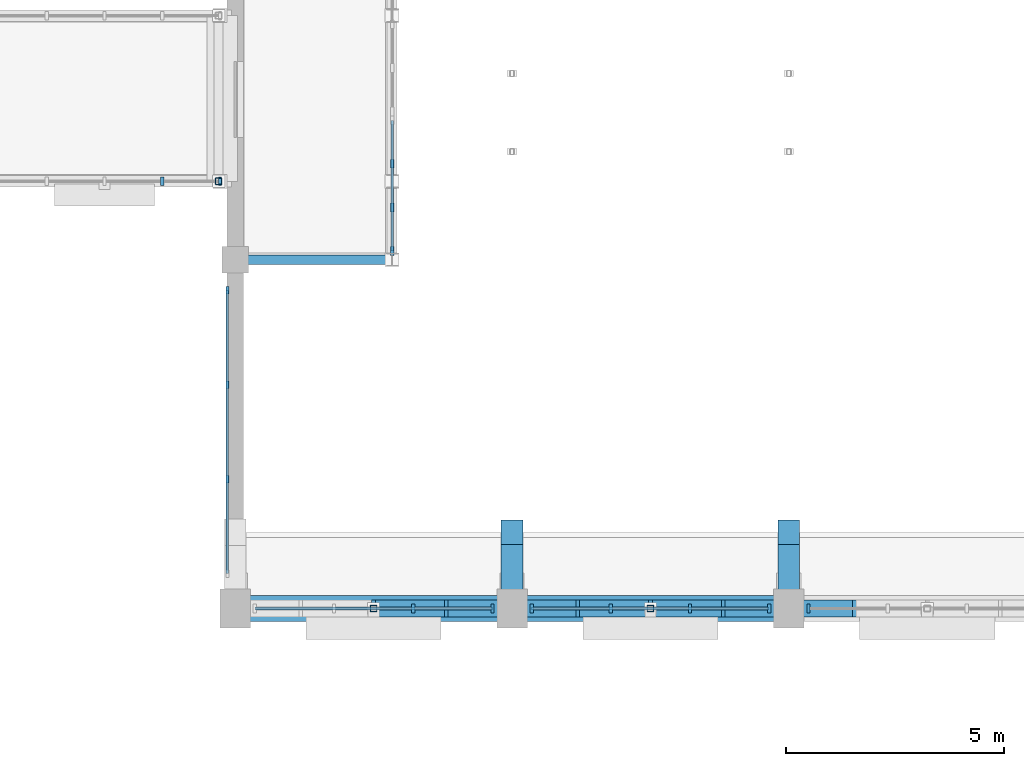
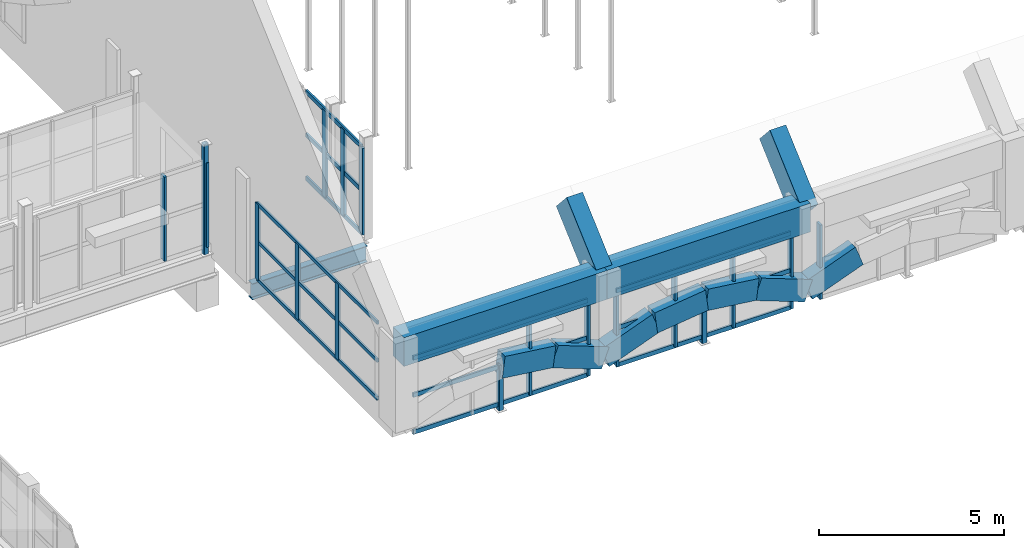
# One storey, part 15 of 77: 39 members, 3 beams, 6 elements without a shape of their own.
"""IFC4 building model written with IfcOpenShell, lengths in metres."""

from ifc_helpers import new_model, si_unit, direction, frame, origin, origin_2d, place, context, subcontext, project, spatial, rectangle, hollow_rectangle, i_section, extrude, material, layer, layer_set, material_profile, profile_set, type_object, element, aggregate, save


model = new_model("IFC4")

# Units and contexts
model_context = context("Model", 3, precision=1e-05, world=origin(), true_north=direction((0.0, 1.0)))
body_context = subcontext(model_context, "Body", "Model", "MODEL_VIEW")
ifc_project = project(units=[si_unit("LENGTHUNIT", "METRE"), si_unit("AREAUNIT", "SQUARE_METRE"), si_unit("VOLUMEUNIT", "CUBIC_METRE"), si_unit("PLANEANGLEUNIT", "RADIAN"), si_unit("MASSUNIT", "GRAM", prefix="KILO")], contexts=[model_context])

# Site, building, storey
site_placement = place(None, origin())
site = spatial("IfcSite", under=ifc_project, at=site_placement, CompositionType="ELEMENT")
building_placement = place(site_placement, origin())
building = spatial("IfcBuilding", under=site, at=building_placement, Name="Trellovar Central Fire Station", CompositionType="ELEMENT")
storey_placement = place(building_placement, frame((0.0, 0.0, 5.85009765625)))
storey = spatial("IfcBuildingStorey", under=building, at=storey_placement, Name="L02", CompositionType="ELEMENT", Elevation=5.85009765625)

# Beams
ifc_material_1 = material(Name="Concrete C40/50", Category="concrete")
ifc_material_profile_1 = material_profile(ifc_material_1, rectangle(XDim=0.60009765625, YDim=0.949951171875, at=origin_2d()), Name="RC600X950")
ifc_profile_set_1 = profile_set([ifc_material_profile_1], Name="Concrete C40/50")
beam_type_1 = type_object("IfcBeamType", Name="BM-RG2", PredefinedType="BEAM", material=ifc_profile_set_1)
beam_1_placement = place(storey_placement, frame((35.0, 14.0, 2.474853515625), z_axis=(1.0, 0.0, 0.0), x_axis=(0.0, 1.0, 0.0)))
element("IfcBeam", 1, at=beam_1_placement, inside=storey, type_object=beam_type_1, Name="V1 south vault springing ring beam", PredefinedType="BEAM", context=body_context, shape_type="SweptSolid", body=[
    extrude(rectangle(XDim=0.60009765625, YDim=0.949951171875, at=origin_2d()), origin(), (0.0, 0.0, 1.0), 6.35009765625),
])
beam_2_placement = place(storey_placement, frame((41.35009765625, 14.0, 2.474853515625), z_axis=(1.0, 0.0, 0.0), x_axis=(0.0, 1.0, 0.0)))
element("IfcBeam", 2, at=beam_2_placement, inside=storey, type_object=beam_type_1, Name="V1 south vault springing ring beam", PredefinedType="BEAM", context=body_context, shape_type="SweptSolid", body=[
    extrude(rectangle(XDim=0.60009765625, YDim=0.949951171875, at=origin_2d()), origin(), (0.0, 0.0, 1.0), 6.349853515625),
])
ifc_material_2 = material(Name="Steel ASTM A992 Grade 50", Category="steel")
ifc_material_profile_2 = material_profile(ifc_material_2, i_section(OverallWidth=0.209228515625, OverallDepth=0.533447265625, WebThickness=0.01025390625, FlangeThickness=0.015625, FilletRadius=0.013916015625, at=origin_2d()), Name="W21X62")
ifc_profile_set_2 = profile_set([ifc_material_profile_2], Name="Steel ASTM A992 Grade 50")
beam_type_2 = type_object("IfcBeamType", Name="BM-SW7", PredefinedType="BEAM", material=ifc_profile_set_2)
beam_3_placement = place(storey_placement, frame((35.0, 22.0, -0.5068359375), z_axis=(1.0, 0.0, 0.0), x_axis=(0.0, 1.0, 0.0)))
element("IfcBeam", 3, at=beam_3_placement, inside=storey, type_object=beam_type_2, Name="V1 west gallery tie beam", PredefinedType="BEAM", context=body_context, shape_type="SweptSolid", body=[
    extrude(i_section(OverallWidth=0.209228515625, OverallDepth=0.533447265625, WebThickness=0.01025390625, FlangeThickness=0.015625, FilletRadius=0.013916015625, at=origin_2d()), origin(), (0.0, 0.0, 1.0), 3.60009765625),
])

# Curtain wall, members
ifc_material_3 = material(Name="Thermally broken bronze anodized aluminum", Category="aluminium")
ifc_layer_1 = layer(ifc_material_3, 0.159912109375)
ifc_layer_set_1 = layer_set([ifc_layer_1], Name="Thermally broken bronze anodized aluminum")
curtain_wall_type_1 = type_object("IfcCurtainWallType", Name="CW-05", PredefinedType="NOTDEFINED", material=ifc_layer_set_1)
curtain_wall_1_placement = place(storey_placement, origin())
curtain_wall_1 = element("IfcCurtainWall", 4, at=curtain_wall_1_placement, inside=storey, type_object=curtain_wall_type_1, Name="V1 south upper clerestory 1", PredefinedType="NOTDEFINED")
ifc_material_4 = material(Name="Thermally broken bronze anodized aluminum", Category="aluminium")
ifc_material_profile_3 = material_profile(ifc_material_4, rectangle(XDim=0.074951171875, YDim=0.199951171875, at=origin_2d()), Name="ALU75X200")
ifc_profile_set_3 = profile_set([ifc_material_profile_3], Name="Thermally broken bronze anodized aluminum")
member_type_1 = type_object("IfcMemberType", Name="CWM-1", PredefinedType="MULLION", material=ifc_profile_set_3)
member_1_placement = place(storey_placement, frame((39.083251953125, 14.0, -0.5), z_axis=(0.0, 0.0, 1.0), x_axis=(1.0, 0.0, 0.0)))
member_1 = element("IfcMember", 5, at=member_1_placement, type_object=member_type_1, Name="CW3-L02-0001 mullion 3", PredefinedType="MULLION", context=body_context, shape_type="SweptSolid", body=[
    extrude(rectangle(XDim=0.074951171875, YDim=0.199951171875, at=origin_2d()), origin(), (0.0, 0.0, 1.0), 2.449951171875),
])
member_2_placement = place(storey_placement, frame((40.89990234375, 14.0, -0.5), z_axis=(0.0, 0.0, 1.0), x_axis=(1.0, 0.0, 0.0)))
member_2 = element("IfcMember", 6, at=member_2_placement, type_object=member_type_1, Name="CW3-L02-0001 mullion 4", PredefinedType="MULLION", context=body_context, shape_type="SweptSolid", body=[
    extrude(rectangle(XDim=0.074951171875, YDim=0.199951171875, at=origin_2d()), origin(), (0.0, 0.0, 1.0), 2.449951171875),
])

curtain_wall_2_placement = place(storey_placement, origin())
curtain_wall_2 = element("IfcCurtainWall", 7, at=curtain_wall_2_placement, inside=storey, type_object=curtain_wall_type_1, Name="V1 south upper clerestory 2", PredefinedType="NOTDEFINED")
member_3_placement = place(storey_placement, frame((41.800048828125, 14.0, -0.5), z_axis=(0.0, 0.0, 1.0), x_axis=(1.0, 0.0, 0.0)))
member_3 = element("IfcMember", 8, at=member_3_placement, type_object=member_type_1, Name="CW3-L02-0002 mullion 1", PredefinedType="MULLION", context=body_context, shape_type="SweptSolid", body=[
    extrude(rectangle(XDim=0.074951171875, YDim=0.199951171875, at=origin_2d()), origin(), (0.0, 0.0, 1.0), 2.449951171875),
])
member_4_placement = place(storey_placement, frame((43.61669921875, 14.0, -0.5), z_axis=(0.0, 0.0, 1.0), x_axis=(1.0, 0.0, 0.0)))
member_4 = element("IfcMember", 9, at=member_4_placement, type_object=member_type_1, Name="CW3-L02-0002 mullion 2", PredefinedType="MULLION", context=body_context, shape_type="SweptSolid", body=[
    extrude(rectangle(XDim=0.074951171875, YDim=0.199951171875, at=origin_2d()), origin(), (0.0, 0.0, 1.0), 2.449951171875),
])
member_5_placement = place(storey_placement, frame((45.433349609375, 14.0, -0.5), z_axis=(0.0, 0.0, 1.0), x_axis=(1.0, 0.0, 0.0)))
member_5 = element("IfcMember", 10, at=member_5_placement, type_object=member_type_1, Name="CW3-L02-0002 mullion 3", PredefinedType="MULLION", context=body_context, shape_type="SweptSolid", body=[
    extrude(rectangle(XDim=0.074951171875, YDim=0.199951171875, at=origin_2d()), origin(), (0.0, 0.0, 1.0), 2.449951171875),
])
member_6_placement = place(storey_placement, frame((47.25, 14.0, -0.5), z_axis=(0.0, 0.0, 1.0), x_axis=(1.0, 0.0, 0.0)))
member_6 = element("IfcMember", 11, at=member_6_placement, type_object=member_type_1, Name="CW3-L02-0002 mullion 4", PredefinedType="MULLION", context=body_context, shape_type="SweptSolid", body=[
    extrude(rectangle(XDim=0.074951171875, YDim=0.199951171875, at=origin_2d()), origin(), (0.0, 0.0, 1.0), 2.449951171875),
])

# Curtain wall, member
curtain_wall_3_placement = place(storey_placement, origin())
curtain_wall_3 = element("IfcCurtainWall", 12, at=curtain_wall_3_placement, inside=storey, type_object=curtain_wall_type_1, Name="V1 south upper clerestory 3", PredefinedType="NOTDEFINED")
member_7_placement = place(storey_placement, frame((48.14990234375, 14.0, -0.5), z_axis=(0.0, 0.0, 1.0), x_axis=(1.0, 0.0, 0.0)))
member_7 = element("IfcMember", 13, at=member_7_placement, type_object=member_type_1, Name="CW3-L02-0003 mullion 1", PredefinedType="MULLION", context=body_context, shape_type="SweptSolid", body=[
    extrude(rectangle(XDim=0.074951171875, YDim=0.199951171875, at=origin_2d()), origin(), (0.0, 0.0, 1.0), 2.449951171875),
])
aggregate(curtain_wall_3, [member_7])

# Curtain wall, members
ifc_material_5 = material(Name="Thermally broken bronze anodized aluminum", Category="aluminium")
ifc_layer_2 = layer(ifc_material_5, 0.159912109375)
ifc_layer_set_2 = layer_set([ifc_layer_2], Name="Thermally broken bronze anodized aluminum")
curtain_wall_type_2 = type_object("IfcCurtainWallType", Name="CW-14", PredefinedType="NOTDEFINED", material=ifc_layer_set_2)
curtain_wall_4_placement = place(storey_placement, origin())
curtain_wall_4 = element("IfcCurtainWall", 14, at=curtain_wall_4_placement, inside=storey, type_object=curtain_wall_type_2, Name="Cloister skybridge south curtain wall", PredefinedType="NOTDEFINED")
member_8_placement = place(storey_placement, frame((33.324951171875, 23.800048828125, 0.0), z_axis=(0.0, 0.0, 1.0), x_axis=(1.0, 0.0, 0.0)))
member_8 = element("IfcMember", 15, at=member_8_placement, type_object=member_type_1, Name="CW3-L02-0023 mullion 4", PredefinedType="MULLION", context=body_context, shape_type="SweptSolid", body=[
    extrude(rectangle(XDim=0.074951171875, YDim=0.199951171875, at=origin_2d()), origin(), (0.0, 0.0, 1.0), 2.787841796875),
])
member_9_placement = place(storey_placement, frame((34.64990234375, 23.800048828125, 0.0), z_axis=(0.0, 0.0, 1.0), x_axis=(1.0, 0.0, 0.0)))
member_9 = element("IfcMember", 16, at=member_9_placement, type_object=member_type_1, Name="CW3-L02-0023 mullion 5", PredefinedType="MULLION", context=body_context, shape_type="SweptSolid", body=[
    extrude(rectangle(XDim=0.074951171875, YDim=0.199951171875, at=origin_2d()), origin(), (0.0, 0.0, 1.0), 2.787841796875),
])
aggregate(curtain_wall_4, [member_8, member_9])

ifc_material_6 = material(Name="Thermally broken bronze anodized aluminum", Category="aluminium")
ifc_layer_3 = layer(ifc_material_6, 0.159912109375)
ifc_layer_set_3 = layer_set([ifc_layer_3], Name="Thermally broken bronze anodized aluminum")
curtain_wall_type_3 = type_object("IfcCurtainWallType", Name="CW-11", PredefinedType="NOTDEFINED", material=ifc_layer_set_3)
curtain_wall_5_placement = place(storey_placement, origin())
curtain_wall_5 = element("IfcCurtainWall", 17, at=curtain_wall_5_placement, inside=storey, type_object=curtain_wall_type_3, Name="V1 west vault gallery screen S", PredefinedType="NOTDEFINED")
member_10_placement = place(storey_placement, frame((38.60009765625, 22.199951171875, 0.0), z_axis=(0.0, 0.0, 1.0), x_axis=(1.0, 0.0, 0.0)))
member_10 = element("IfcMember", 18, at=member_10_placement, type_object=member_type_1, Name="CW3-L02-0025 mullion 1", PredefinedType="MULLION", context=body_context, shape_type="SweptSolid", body=[
    extrude(rectangle(XDim=0.074951171875, YDim=0.199951171875, at=origin_2d()), origin(), (0.0, 0.0, 1.0), 2.849853515625),
])
member_11_placement = place(storey_placement, frame((38.60009765625, 23.199951171875, 0.0), z_axis=(0.0, 0.0, 1.0), x_axis=(1.0, 0.0, 0.0)))
member_11 = element("IfcMember", 19, at=member_11_placement, type_object=member_type_1, Name="CW3-L02-0025 mullion 2", PredefinedType="MULLION", context=body_context, shape_type="SweptSolid", body=[
    extrude(rectangle(XDim=0.074951171875, YDim=0.199951171875, at=origin_2d()), origin(), (0.0, 0.0, 1.0), 2.849853515625),
])
member_12_placement = place(storey_placement, frame((38.60009765625, 24.199951171875, 0.0), z_axis=(0.0, 0.0, 1.0), x_axis=(1.0, 0.0, 0.0)))
member_12 = element("IfcMember", 20, at=member_12_placement, type_object=member_type_1, Name="CW3-L02-0025 mullion 3", PredefinedType="MULLION", context=body_context, shape_type="SweptSolid", body=[
    extrude(rectangle(XDim=0.074951171875, YDim=0.199951171875, at=origin_2d()), origin(), (0.0, 0.0, 1.0), 2.849853515625),
])

ifc_material_7 = material(Name="Thermally broken bronze anodized aluminum", Category="aluminium")
ifc_layer_4 = layer(ifc_material_7, 0.159912109375)
ifc_layer_set_4 = layer_set([ifc_layer_4], Name="Thermally broken bronze anodized aluminum")
curtain_wall_type_4 = type_object("IfcCurtainWallType", Name="CW-15", PredefinedType="NOTDEFINED", material=ifc_layer_set_4)
curtain_wall_6_placement = place(storey_placement, origin())
curtain_wall_6 = element("IfcCurtainWall", 21, at=curtain_wall_6_placement, inside=storey, type_object=curtain_wall_type_4, Name="V1 W ski-jump gable clerestory 1", PredefinedType="NOTDEFINED")
ifc_material_8 = material(Name="Thermally broken bronze anodized aluminum", Category="aluminium")
ifc_material_profile_4 = material_profile(ifc_material_8, rectangle(XDim=0.06494140625, YDim=0.175048828125, at=origin_2d()), Name="ALU65X175")
ifc_profile_set_4 = profile_set([ifc_material_profile_4], Name="Thermally broken bronze anodized aluminum")
member_type_2 = type_object("IfcMemberType", Name="CWM-2", PredefinedType="MULLION", material=ifc_profile_set_4)
member_13_placement = place(storey_placement, frame((34.820068359375, 16.966796875, 0.349853515625), z_axis=(0.0, 0.0, 1.0), x_axis=(1.0, 0.0, 0.0)))
member_13 = element("IfcMember", 22, at=member_13_placement, type_object=member_type_2, Name="CW3-L02-0011 mullion 2", PredefinedType="MULLION", context=body_context, shape_type="SweptSolid", body=[
    extrude(rectangle(XDim=0.06494140625, YDim=0.175048828125, at=origin_2d()), origin(), (0.0, 0.0, 1.0), 2.5),
])
member_14_placement = place(storey_placement, frame((34.820068359375, 19.13330078125, 0.349853515625), z_axis=(0.0, 0.0, 1.0), x_axis=(1.0, 0.0, 0.0)))
member_14 = element("IfcMember", 23, at=member_14_placement, type_object=member_type_2, Name="CW3-L02-0011 mullion 3", PredefinedType="MULLION", context=body_context, shape_type="SweptSolid", body=[
    extrude(rectangle(XDim=0.06494140625, YDim=0.175048828125, at=origin_2d()), origin(), (0.0, 0.0, 1.0), 2.5),
])
member_15_placement = place(storey_placement, frame((34.820068359375, 21.300048828125, 0.349853515625), z_axis=(0.0, 0.0, 1.0), x_axis=(1.0, 0.0, 0.0)))
member_15 = element("IfcMember", 24, at=member_15_placement, type_object=member_type_2, Name="CW3-L02-0011 mullion 4", PredefinedType="MULLION", context=body_context, shape_type="SweptSolid", body=[
    extrude(rectangle(XDim=0.06494140625, YDim=0.175048828125, at=origin_2d()), origin(), (0.0, 0.0, 1.0), 2.5),
])

# Member
ifc_material_9 = material(Name="Thermally broken bronze anodized aluminum", Category="aluminium")
ifc_material_profile_5 = material_profile(ifc_material_9, rectangle(XDim=0.06005859375, YDim=0.139892578125, at=origin_2d()), Name="ALU60X140")
ifc_profile_set_5 = profile_set([ifc_material_profile_5], Name="Thermally broken bronze anodized aluminum")
member_type_3 = type_object("IfcMemberType", Name="CWT-1", PredefinedType="USERDEFINED", material=ifc_profile_set_5)
member_16_placement = place(storey_placement, frame((35.449951171875, 14.0, -0.5), z_axis=(1.0, 0.0, 0.0), x_axis=(0.0, 1.0, 0.0)))
member_16 = element("IfcMember", 25, at=member_16_placement, type_object=member_type_3, Name="CW3-L02-0001 transom 1", ObjectType="TRANSOM", PredefinedType="USERDEFINED", context=body_context, shape_type="SweptSolid", body=[
    extrude(rectangle(XDim=0.06005859375, YDim=0.139892578125, at=origin_2d()), origin(), (0.0, 0.0, 1.0), 5.449951171875),
])

member_17_placement = place(storey_placement, frame((35.449951171875, 14.0, 0.724853515625), z_axis=(1.0, 0.0, 0.0), x_axis=(0.0, 1.0, 0.0)))
member_17 = element("IfcMember", 26, at=member_17_placement, type_object=member_type_3, Name="CW3-L02-0001 transom 2", ObjectType="TRANSOM", PredefinedType="USERDEFINED", context=body_context, shape_type="SweptSolid", body=[
    extrude(rectangle(XDim=0.06005859375, YDim=0.139892578125, at=origin_2d()), origin(), (0.0, 0.0, 1.0), 5.449951171875),
])

member_18_placement = place(storey_placement, frame((35.449951171875, 14.0, 1.949951171875), z_axis=(1.0, 0.0, 0.0), x_axis=(0.0, 1.0, 0.0)))
member_18 = element("IfcMember", 27, at=member_18_placement, type_object=member_type_3, Name="CW3-L02-0001 transom 3", ObjectType="TRANSOM", PredefinedType="USERDEFINED", context=body_context, shape_type="SweptSolid", body=[
    extrude(rectangle(XDim=0.06005859375, YDim=0.139892578125, at=origin_2d()), origin(), (0.0, 0.0, 1.0), 5.449951171875),
])

aggregate(curtain_wall_1, [member_1, member_2, member_16, member_17, member_18])

member_19_placement = place(storey_placement, frame((41.800048828125, 14.0, -0.5), z_axis=(1.0, 0.0, 0.0), x_axis=(0.0, 1.0, 0.0)))
member_19 = element("IfcMember", 28, at=member_19_placement, type_object=member_type_3, Name="CW3-L02-0002 transom 1", ObjectType="TRANSOM", PredefinedType="USERDEFINED", context=body_context, shape_type="SweptSolid", body=[
    extrude(rectangle(XDim=0.06005859375, YDim=0.139892578125, at=origin_2d()), origin(), (0.0, 0.0, 1.0), 5.449951171875),
])

member_20_placement = place(storey_placement, frame((41.800048828125, 14.0, 0.724853515625), z_axis=(1.0, 0.0, 0.0), x_axis=(0.0, 1.0, 0.0)))
member_20 = element("IfcMember", 29, at=member_20_placement, type_object=member_type_3, Name="CW3-L02-0002 transom 2", ObjectType="TRANSOM", PredefinedType="USERDEFINED", context=body_context, shape_type="SweptSolid", body=[
    extrude(rectangle(XDim=0.06005859375, YDim=0.139892578125, at=origin_2d()), origin(), (0.0, 0.0, 1.0), 5.449951171875),
])

member_21_placement = place(storey_placement, frame((41.800048828125, 14.0, 1.949951171875), z_axis=(1.0, 0.0, 0.0), x_axis=(0.0, 1.0, 0.0)))
member_21 = element("IfcMember", 30, at=member_21_placement, type_object=member_type_3, Name="CW3-L02-0002 transom 3", ObjectType="TRANSOM", PredefinedType="USERDEFINED", context=body_context, shape_type="SweptSolid", body=[
    extrude(rectangle(XDim=0.06005859375, YDim=0.139892578125, at=origin_2d()), origin(), (0.0, 0.0, 1.0), 5.449951171875),
])

aggregate(curtain_wall_2, [member_3, member_4, member_5, member_6, member_19, member_20, member_21])

member_22_placement = place(storey_placement, frame((38.60009765625, 22.199951171875, 0.0), z_axis=(0.0, 1.0, 0.0), x_axis=(-1.0, 0.0, 0.0)))
member_22 = element("IfcMember", 31, at=member_22_placement, type_object=member_type_3, Name="CW3-L02-0025 transom 1", ObjectType="TRANSOM", PredefinedType="USERDEFINED", context=body_context, shape_type="SweptSolid", body=[
    extrude(rectangle(XDim=0.06005859375, YDim=0.139892578125, at=origin_2d()), origin(), (0.0, 0.0, 1.0), 3.0),
])

member_23_placement = place(storey_placement, frame((38.60009765625, 22.199951171875, 1.4248046875), z_axis=(0.0, 1.0, 0.0), x_axis=(-1.0, 0.0, 0.0)))
member_23 = element("IfcMember", 32, at=member_23_placement, type_object=member_type_3, Name="CW3-L02-0025 transom 2", ObjectType="TRANSOM", PredefinedType="USERDEFINED", context=body_context, shape_type="SweptSolid", body=[
    extrude(rectangle(XDim=0.06005859375, YDim=0.139892578125, at=origin_2d()), origin(), (0.0, 0.0, 1.0), 3.0),
])

member_24_placement = place(storey_placement, frame((38.60009765625, 22.199951171875, 2.849853515625), z_axis=(0.0, 1.0, 0.0), x_axis=(-1.0, 0.0, 0.0)))
member_24 = element("IfcMember", 33, at=member_24_placement, type_object=member_type_3, Name="CW3-L02-0025 transom 3", ObjectType="TRANSOM", PredefinedType="USERDEFINED", context=body_context, shape_type="SweptSolid", body=[
    extrude(rectangle(XDim=0.06005859375, YDim=0.139892578125, at=origin_2d()), origin(), (0.0, 0.0, 1.0), 3.0),
])

aggregate(curtain_wall_5, [member_10, member_11, member_12, member_22, member_23, member_24])

ifc_material_10 = material(Name="Thermally broken bronze anodized aluminum", Category="aluminium")
ifc_material_profile_6 = material_profile(ifc_material_10, rectangle(XDim=0.06005859375, YDim=0.1201171875, at=origin_2d()), Name="ALU60X120")
ifc_profile_set_6 = profile_set([ifc_material_profile_6], Name="Thermally broken bronze anodized aluminum")
member_type_4 = type_object("IfcMemberType", Name="CWT-2", PredefinedType="USERDEFINED", material=ifc_profile_set_6)
member_25_placement = place(storey_placement, frame((34.820068359375, 14.800048828125, 0.349853515625), z_axis=(0.0, 1.0, 0.0), x_axis=(-1.0, 0.0, 0.0)))
member_25 = element("IfcMember", 34, at=member_25_placement, type_object=member_type_4, Name="CW3-L02-0011 transom 1", ObjectType="TRANSOM", PredefinedType="USERDEFINED", context=body_context, shape_type="SweptSolid", body=[
    extrude(rectangle(XDim=0.06005859375, YDim=0.1201171875, at=origin_2d()), origin(), (0.0, 0.0, 1.0), 6.5),
])

member_26_placement = place(storey_placement, frame((34.820068359375, 14.800048828125, 1.599853515625), z_axis=(0.0, 1.0, 0.0), x_axis=(-1.0, 0.0, 0.0)))
member_26 = element("IfcMember", 35, at=member_26_placement, type_object=member_type_4, Name="CW3-L02-0011 transom 2", ObjectType="TRANSOM", PredefinedType="USERDEFINED", context=body_context, shape_type="SweptSolid", body=[
    extrude(rectangle(XDim=0.06005859375, YDim=0.1201171875, at=origin_2d()), origin(), (0.0, 0.0, 1.0), 6.5),
])

member_27_placement = place(storey_placement, frame((34.820068359375, 14.800048828125, 2.849853515625), z_axis=(0.0, 1.0, 0.0), x_axis=(-1.0, 0.0, 0.0)))
member_27 = element("IfcMember", 36, at=member_27_placement, type_object=member_type_4, Name="CW3-L02-0011 transom 3", ObjectType="TRANSOM", PredefinedType="USERDEFINED", context=body_context, shape_type="SweptSolid", body=[
    extrude(rectangle(XDim=0.06005859375, YDim=0.1201171875, at=origin_2d()), origin(), (0.0, 0.0, 1.0), 6.5),
])

aggregate(curtain_wall_6, [member_13, member_14, member_15, member_25, member_26, member_27])

# Members
ifc_material_11 = material(Name="Concrete C40/50", Category="concrete")
ifc_material_profile_7 = material_profile(ifc_material_11, rectangle(XDim=0.5, YDim=0.85009765625, at=origin_2d()), Name="RC500X850")
ifc_profile_set_7 = profile_set([ifc_material_profile_7], Name="Concrete C40/50")
member_type_5 = type_object("IfcMemberType", Name="MEM-AR2", PredefinedType="CHORD", material=ifc_profile_set_7)
for number, where, z_axis, x_axis, name in (
    (37, (41.35009765625, 14.0, 2.5), (0.0, 0.744410696022, 0.667722034718), (-1.0, 0.0, 0.0), "Parabolic arch rib AR-02 chord 01"),
    (38, (47.699951171875, 14.0, 2.5), (0.0, 0.744410696022, 0.667722034718), (-1.0, 0.0, 0.0), "Parabolic arch rib AR-03 chord 01"),
):
    element("IfcMember", number, at=place(storey_placement, frame(where, z_axis=z_axis, x_axis=x_axis)), inside=storey, type_object=member_type_5, Name=name, PredefinedType="CHORD", context=body_context, shape_type="SweptSolid", body=[
        extrude(rectangle(XDim=0.5, YDim=0.85009765625, at=origin_2d()), origin(), (0.0, 0.0, 1.0), 2.34619140625),
    ])
ifc_material_12 = material(Name="Concrete C40/50", Category="concrete")
ifc_material_profile_8 = material_profile(ifc_material_12, rectangle(XDim=0.39990234375, YDim=0.699951171875, at=origin_2d()), Name="RC400X700")
ifc_profile_set_8 = profile_set([ifc_material_profile_8], Name="Concrete C40/50")
member_type_6 = type_object("IfcMemberType", Name="MEM-LR1", PredefinedType="CHORD", material=ifc_profile_set_8)
member_28_placement = place(storey_placement, frame((38.175048828125, 14.0, 0.7998046875), z_axis=(0.992160053116, 0.0, -0.124973713242), x_axis=(0.0, 1.0, 0.0)))
element("IfcMember", 39, at=member_28_placement, inside=storey, type_object=member_type_6, Name="V1 south bay 1 parabolic portal arch seg 3", PredefinedType="CHORD", context=body_context, shape_type="SweptSolid", body=[
    extrude(rectangle(XDim=0.39990234375, YDim=0.699951171875, at=origin_2d()), origin(), (0.0, 0.0, 1.0), 1.599853515625),
])
member_29_placement = place(storey_placement, frame((39.762451171875, 14.0, 0.599853515625), z_axis=(0.935457297546, 0.0, -0.353439732442), x_axis=(0.0, 1.0, 0.0)))
element("IfcMember", 40, at=member_29_placement, inside=storey, type_object=member_type_6, Name="V1 south bay 1 parabolic portal arch seg 4", PredefinedType="CHORD", context=body_context, shape_type="SweptSolid", body=[
    extrude(rectangle(XDim=0.39990234375, YDim=0.699951171875, at=origin_2d()), origin(), (0.0, 0.0, 1.0), 1.697265625),
])
member_30_placement = place(storey_placement, frame((41.35009765625, 14.0, 0.0), z_axis=(0.935439324213, 0.0, 0.35348729923), x_axis=(0.0, 1.0, 0.0)))
element("IfcMember", 41, at=member_30_placement, inside=storey, type_object=member_type_6, Name="V1 south bay 2 parabolic portal arch seg 1", PredefinedType="CHORD", context=body_context, shape_type="SweptSolid", body=[
    extrude(rectangle(XDim=0.39990234375, YDim=0.699951171875, at=origin_2d()), origin(), (0.0, 0.0, 1.0), 1.697021484375),
])
member_31_placement = place(storey_placement, frame((42.9375, 14.0, 0.599853515625), z_axis=(0.992160053116, 0.0, 0.124973713242), x_axis=(0.0, 1.0, 0.0)))
element("IfcMember", 42, at=member_31_placement, inside=storey, type_object=member_type_6, Name="V1 south bay 2 parabolic portal arch seg 2", PredefinedType="CHORD", context=body_context, shape_type="SweptSolid", body=[
    extrude(rectangle(XDim=0.39990234375, YDim=0.699951171875, at=origin_2d()), origin(), (0.0, 0.0, 1.0), 1.599853515625),
])
member_32_placement = place(storey_placement, frame((44.52490234375, 14.0, 0.7998046875), z_axis=(0.992162435838, 0.0, -0.124954795472), x_axis=(0.0, 1.0, 0.0)))
element("IfcMember", 43, at=member_32_placement, inside=storey, type_object=member_type_6, Name="V1 south bay 2 parabolic portal arch seg 3", PredefinedType="CHORD", context=body_context, shape_type="SweptSolid", body=[
    extrude(rectangle(XDim=0.39990234375, YDim=0.699951171875, at=origin_2d()), origin(), (0.0, 0.0, 1.0), 1.60009765625),
])
member_33_placement = place(storey_placement, frame((46.112548828125, 14.0, 0.599853515625), z_axis=(0.935439324213, 0.0, -0.35348729923), x_axis=(0.0, 1.0, 0.0)))
element("IfcMember", 44, at=member_33_placement, inside=storey, type_object=member_type_6, Name="V1 south bay 2 parabolic portal arch seg 4", PredefinedType="CHORD", context=body_context, shape_type="SweptSolid", body=[
    extrude(rectangle(XDim=0.39990234375, YDim=0.699951171875, at=origin_2d()), origin(), (0.0, 0.0, 1.0), 1.697021484375),
])
member_34_placement = place(storey_placement, frame((47.699951171875, 14.0, 0.0), z_axis=(0.935457297546, 0.0, 0.353439732442), x_axis=(0.0, 1.0, 0.0)))
element("IfcMember", 45, at=member_34_placement, inside=storey, type_object=member_type_6, Name="V1 south bay 3 parabolic portal arch seg 1", PredefinedType="CHORD", context=body_context, shape_type="SweptSolid", body=[
    extrude(rectangle(XDim=0.39990234375, YDim=0.699951171875, at=origin_2d()), origin(), (0.0, 0.0, 1.0), 1.697265625),
])
ifc_material_13 = material(Name="Steel ASTM A500 Grade C", Category="steel")
ifc_material_profile_9 = material_profile(ifc_material_13, hollow_rectangle(XDim=0.15234375, YDim=0.15234375, WallThickness=0.0087890625, InnerFilletRadius=0.0087890625, OuterFilletRadius=0.017822265625, at=origin_2d()), Name="HSS6X6X3/8")
ifc_profile_set_9 = profile_set([ifc_material_profile_9], Name="Steel ASTM A500 Grade C")
member_type_7 = type_object("IfcMemberType", Name="MEM-ST1", PredefinedType="STRUT", material=ifc_profile_set_9)
for number, where, z_axis, x_axis, name in (
    (46, (38.175048828125, 14.0, -0.7001953125), (0.0, 0.0, 1.0), (1.0, 0.0, 0.0), "V1 south bay 1 parabolic portal arch keystone post"),
    (47, (44.52490234375, 14.0, -0.7001953125), (0.0, 0.0, 1.0), (1.0, 0.0, 0.0), "V1 south bay 2 parabolic portal arch keystone post"),
):
    element("IfcMember", number, at=place(storey_placement, frame(where, z_axis=z_axis, x_axis=x_axis)), inside=storey, type_object=member_type_7, Name=name, PredefinedType="STRUT", context=body_context, shape_type="SweptSolid", body=[
        extrude(hollow_rectangle(XDim=0.15234375, YDim=0.15234375, WallThickness=0.0087890625, InnerFilletRadius=0.0087890625, OuterFilletRadius=0.017822265625, at=origin_2d()), origin(), (0.0, 0.0, 1.0), 1.5),
    ])
member_35_placement = place(storey_placement, frame((34.6201171875, 23.800048828125, -0.239990234375), z_axis=(0.0, 0.0, 1.0), x_axis=(1.0, 0.0, 0.0)))
element("IfcMember", 48, at=member_35_placement, inside=storey, type_object=member_type_7, Name="Cloister bridge seated portal post", PredefinedType="STRUT", context=body_context, shape_type="SweptSolid", body=[
    extrude(hollow_rectangle(XDim=0.15234375, YDim=0.15234375, WallThickness=0.0087890625, InnerFilletRadius=0.0087890625, OuterFilletRadius=0.017822265625, at=origin_2d()), origin(), (0.0, 0.0, 1.0), 3.639892578125),
])

save(model, "model.ifc")
